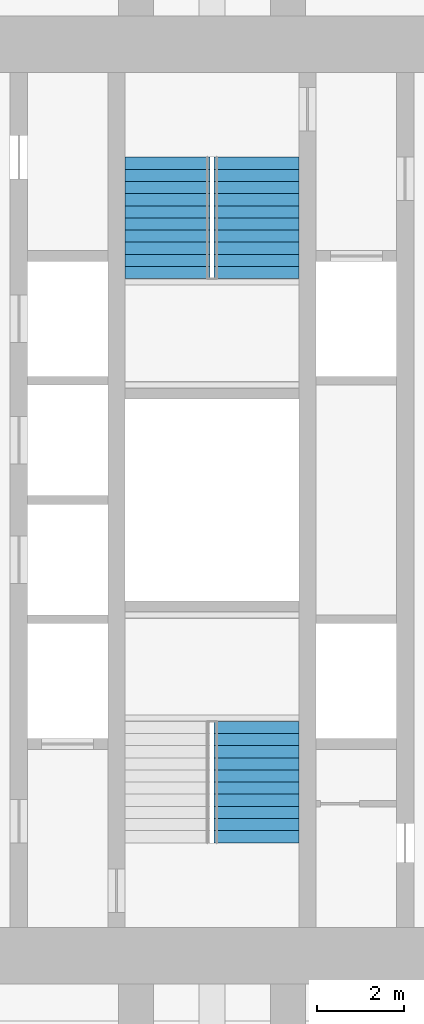
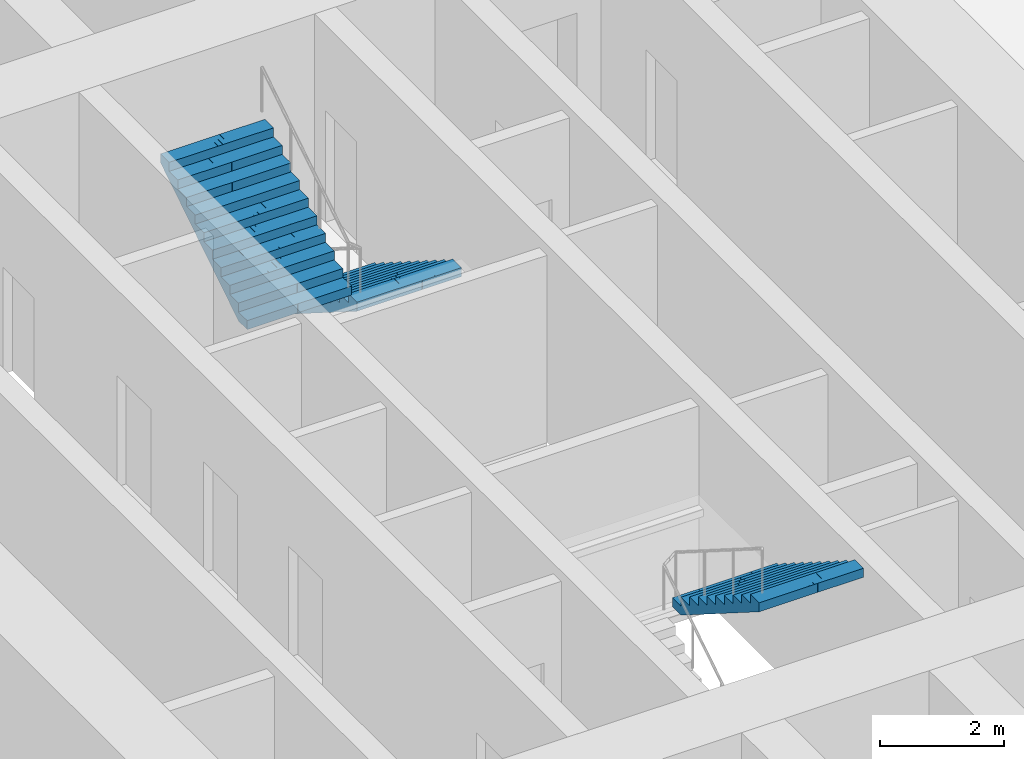
# One storey, part 18 of 19: 3 stair flights, 2 elements without a shape of their own.
"""IFC4 building model written with IfcOpenShell, lengths in metres."""

from ifc_helpers import new_model, si_unit, direction, frame, origin, place, context, subcontext, project, spatial, polyline, outline, extrude, material, type_object, element, aggregate, save


model = new_model("IFC4")

# Units and contexts
model_context = context("Model", 3, precision=1e-05, world=origin(), true_north=direction((0.0, 1.0)))
body_context = subcontext(model_context, "Body", "Model", "MODEL_VIEW")
ifc_project = project(units=[si_unit("LENGTHUNIT", "METRE"), si_unit("AREAUNIT", "SQUARE_METRE"), si_unit("VOLUMEUNIT", "CUBIC_METRE"), si_unit("PLANEANGLEUNIT", "RADIAN"), si_unit("MASSUNIT", "GRAM", prefix="KILO")], contexts=[model_context])

# Site, building, storey
site_placement = place(None, origin())
site = spatial("IfcSite", under=ifc_project, at=site_placement, CompositionType="ELEMENT")
building_placement = place(site_placement, origin())
building = spatial("IfcBuilding", under=site, at=building_placement, Name="Mizan Broadcast Tower", CompositionType="ELEMENT")
storey_placement = place(building_placement, frame((0.0, 0.0, 182.699951171875)))
storey = spatial("IfcBuildingStorey", under=building, at=storey_placement, Name="L42", CompositionType="ELEMENT", Elevation=182.699951171875)

# Stair, stair flight
ifc_material_1 = material(Name="Concrete C40/50", Category="concrete")
stair_type = type_object("IfcStairType", Name="EXIT STAIR", PredefinedType="HALF_TURN_STAIR", material=ifc_material_1)
stair_1_placement = place(storey_placement, origin())
stair_1 = element("IfcStair", 1, at=stair_1_placement, inside=storey, type_object=stair_type, Name="Stair A L42", PredefinedType="HALF_TURN_STAIR")
ifc_material_2 = material(Name="Concrete C40/50", Category="concrete")
stair_flight_type = type_object("IfcStairFlightType", Name="EXIT STAIR FLIGHT", PredefinedType="STRAIGHT", material=ifc_material_2)
stair_flight_1_placement = place(storey_placement, frame((1.02490234375, -5.10009765625, 1.949951171875), z_axis=(0.0, 0.0, 1.0), x_axis=(0.0, -1.0, 0.0)))
stair_flight_1 = element("IfcStairFlight", 2, at=stair_flight_1_placement, type_object=stair_flight_type, Name="A flight 2", NumberOfRisers=11, NumberOfTreads=10, PredefinedType="STRAIGHT", RiserHeight=0.177272727, TreadLength=0.28, context=body_context, shape_type="SweptSolid", body=[
    extrude(outline(polyline([(0.0, 0.0), (0.0, 0.17724609375), (0.280029296875, 0.17724609375), (0.280029296875, 0.3544921875), (0.56005859375, 0.3544921875), (0.56005859375, 0.53173828125), (0.840087890625, 0.53173828125), (0.840087890625, 0.708984375), (1.1201171875, 0.708984375), (1.1201171875, 0.886474609375), (1.39990234375, 0.886474609375), (1.39990234375, 1.063720703125), (1.679931640625, 1.063720703125), (1.679931640625, 1.240966796875), (1.9599609375, 1.240966796875), (1.9599609375, 1.418212890625), (2.239990234375, 1.418212890625), (2.239990234375, 1.595458984375), (2.52001953125, 1.595458984375), (2.52001953125, 1.772705078125), (2.800048828125, 1.772705078125), (2.800048828125, 1.949951171875), (2.800048828125, 1.59521484375), (0.2802734375, 0.0), (0.0, 0.0)])), frame((0.0, 0.97509765625, 0.0), z_axis=(0.0, -1.0, 0.0), x_axis=(1.0, 0.0, 0.0)), (0.0, 0.0, 1.0), 0.4873046875),
    extrude(outline(polyline([(0.0, 0.0), (0.0, 0.17724609375), (0.280029296875, 0.17724609375), (0.280029296875, 0.3544921875), (0.56005859375, 0.3544921875), (0.56005859375, 0.53173828125), (0.840087890625, 0.53173828125), (0.840087890625, 0.708984375), (1.1201171875, 0.708984375), (1.1201171875, 0.886474609375), (1.39990234375, 0.886474609375), (1.39990234375, 1.063720703125), (1.679931640625, 1.063720703125), (1.679931640625, 1.240966796875), (1.9599609375, 1.240966796875), (1.9599609375, 1.418212890625), (2.239990234375, 1.418212890625), (2.239990234375, 1.595458984375), (2.52001953125, 1.595458984375), (2.52001953125, 1.772705078125), (2.800048828125, 1.772705078125), (2.800048828125, 1.949951171875), (2.800048828125, 1.59521484375), (0.2802734375, 0.0), (0.0, 0.0)])), frame((0.0, 0.4873046875, 0.0), z_axis=(0.0, -1.0, 0.0), x_axis=(1.0, 0.0, 0.0)), (0.0, 0.0, 1.0), 0.2431640625),
    extrude(outline(polyline([(0.0, 0.0), (0.0, 0.17724609375), (0.280029296875, 0.17724609375), (0.280029296875, 0.3544921875), (0.56005859375, 0.3544921875), (0.56005859375, 0.53173828125), (0.840087890625, 0.53173828125), (0.840087890625, 0.708984375), (1.1201171875, 0.708984375), (1.1201171875, 0.886474609375), (1.39990234375, 0.886474609375), (1.39990234375, 1.063720703125), (1.679931640625, 1.063720703125), (1.679931640625, 1.240966796875), (1.9599609375, 1.240966796875), (1.9599609375, 1.418212890625), (2.239990234375, 1.418212890625), (2.239990234375, 1.595458984375), (2.52001953125, 1.595458984375), (2.52001953125, 1.772705078125), (2.800048828125, 1.772705078125), (2.800048828125, 1.949951171875), (2.800048828125, 1.59521484375), (0.2802734375, 0.0), (0.0, 0.0)])), frame((0.0, 0.24365234375, 0.0), z_axis=(0.0, -1.0, 0.0), x_axis=(1.0, 0.0, 0.0)), (0.0, 0.0, 1.0), 0.121337890625),
    extrude(outline(polyline([(0.0, 0.0), (0.0, 0.17724609375), (0.280029296875, 0.17724609375), (0.280029296875, 0.3544921875), (0.56005859375, 0.3544921875), (0.56005859375, 0.53173828125), (0.840087890625, 0.53173828125), (0.840087890625, 0.708984375), (1.1201171875, 0.708984375), (1.1201171875, 0.886474609375), (1.39990234375, 0.886474609375), (1.39990234375, 1.063720703125), (1.679931640625, 1.063720703125), (1.679931640625, 1.240966796875), (1.9599609375, 1.240966796875), (1.9599609375, 1.418212890625), (2.239990234375, 1.418212890625), (2.239990234375, 1.595458984375), (2.52001953125, 1.595458984375), (2.52001953125, 1.772705078125), (2.800048828125, 1.772705078125), (2.800048828125, 1.949951171875), (2.800048828125, 1.59521484375), (0.2802734375, 0.0), (0.0, 0.0)])), frame((0.0, 0.121826171875, 0.0), z_axis=(0.0, -1.0, 0.0), x_axis=(1.0, 0.0, 0.0)), (0.0, 0.0, 1.0), 0.060546875),
    extrude(outline(polyline([(0.0, 0.0), (0.0, 0.17724609375), (0.280029296875, 0.17724609375), (0.280029296875, 0.3544921875), (0.56005859375, 0.3544921875), (0.56005859375, 0.53173828125), (0.840087890625, 0.53173828125), (0.840087890625, 0.708984375), (1.1201171875, 0.708984375), (1.1201171875, 0.886474609375), (1.39990234375, 0.886474609375), (1.39990234375, 1.063720703125), (1.679931640625, 1.063720703125), (1.679931640625, 1.240966796875), (1.9599609375, 1.240966796875), (1.9599609375, 1.418212890625), (2.239990234375, 1.418212890625), (2.239990234375, 1.595458984375), (2.52001953125, 1.595458984375), (2.52001953125, 1.772705078125), (2.800048828125, 1.772705078125), (2.800048828125, 1.949951171875), (2.800048828125, 1.59521484375), (0.2802734375, 0.0), (0.0, 0.0)])), frame((0.0, 0.060791015625, 0.0), z_axis=(0.0, -1.0, 0.0), x_axis=(1.0, 0.0, 0.0)), (0.0, 0.0, 1.0), 0.030029296875),
    extrude(outline(polyline([(0.0, 0.0), (0.0, 0.17724609375), (0.280029296875, 0.17724609375), (0.280029296875, 0.3544921875), (0.56005859375, 0.3544921875), (0.56005859375, 0.53173828125), (0.840087890625, 0.53173828125), (0.840087890625, 0.708984375), (1.1201171875, 0.708984375), (1.1201171875, 0.886474609375), (1.39990234375, 0.886474609375), (1.39990234375, 1.063720703125), (1.679931640625, 1.063720703125), (1.679931640625, 1.240966796875), (1.9599609375, 1.240966796875), (1.9599609375, 1.418212890625), (2.239990234375, 1.418212890625), (2.239990234375, 1.595458984375), (2.52001953125, 1.595458984375), (2.52001953125, 1.772705078125), (2.800048828125, 1.772705078125), (2.800048828125, 1.949951171875), (2.800048828125, 1.59521484375), (0.2802734375, 0.0), (0.0, 0.0)])), frame((0.0, 0.0302734375, 0.0), z_axis=(0.0, -1.0, 0.0), x_axis=(1.0, 0.0, 0.0)), (0.0, 0.0, 1.0), 0.060302734375),
    extrude(outline(polyline([(0.0, 0.0), (0.0, 0.17724609375), (0.280029296875, 0.17724609375), (0.280029296875, 0.3544921875), (0.56005859375, 0.3544921875), (0.56005859375, 0.53173828125), (0.840087890625, 0.53173828125), (0.840087890625, 0.708984375), (1.1201171875, 0.708984375), (1.1201171875, 0.886474609375), (1.39990234375, 0.886474609375), (1.39990234375, 1.063720703125), (1.679931640625, 1.063720703125), (1.679931640625, 1.240966796875), (1.9599609375, 1.240966796875), (1.9599609375, 1.418212890625), (2.239990234375, 1.418212890625), (2.239990234375, 1.595458984375), (2.52001953125, 1.595458984375), (2.52001953125, 1.772705078125), (2.800048828125, 1.772705078125), (2.800048828125, 1.949951171875), (2.800048828125, 1.59521484375), (0.2802734375, 0.0), (0.0, 0.0)])), frame((0.0, -0.030517578125, 0.0), z_axis=(0.0, -1.0, 0.0), x_axis=(1.0, 0.0, 0.0)), (0.0, 0.0, 1.0), 0.030029296875),
    extrude(outline(polyline([(0.0, 0.0), (0.0, 0.17724609375), (0.280029296875, 0.17724609375), (0.280029296875, 0.3544921875), (0.56005859375, 0.3544921875), (0.56005859375, 0.53173828125), (0.840087890625, 0.53173828125), (0.840087890625, 0.708984375), (1.1201171875, 0.708984375), (1.1201171875, 0.886474609375), (1.39990234375, 0.886474609375), (1.39990234375, 1.063720703125), (1.679931640625, 1.063720703125), (1.679931640625, 1.240966796875), (1.9599609375, 1.240966796875), (1.9599609375, 1.418212890625), (2.239990234375, 1.418212890625), (2.239990234375, 1.595458984375), (2.52001953125, 1.595458984375), (2.52001953125, 1.772705078125), (2.800048828125, 1.772705078125), (2.800048828125, 1.949951171875), (2.800048828125, 1.59521484375), (0.2802734375, 0.0), (0.0, 0.0)])), frame((0.0, -0.06103515625, 0.0), z_axis=(0.0, -1.0, 0.0), x_axis=(1.0, 0.0, 0.0)), (0.0, 0.0, 1.0), 0.060546875),
    extrude(outline(polyline([(0.0, 0.0), (0.0, 0.17724609375), (0.280029296875, 0.17724609375), (0.280029296875, 0.3544921875), (0.56005859375, 0.3544921875), (0.56005859375, 0.53173828125), (0.840087890625, 0.53173828125), (0.840087890625, 0.708984375), (1.1201171875, 0.708984375), (1.1201171875, 0.886474609375), (1.39990234375, 0.886474609375), (1.39990234375, 1.063720703125), (1.679931640625, 1.063720703125), (1.679931640625, 1.240966796875), (1.9599609375, 1.240966796875), (1.9599609375, 1.418212890625), (2.239990234375, 1.418212890625), (2.239990234375, 1.595458984375), (2.52001953125, 1.595458984375), (2.52001953125, 1.772705078125), (2.800048828125, 1.772705078125), (2.800048828125, 1.949951171875), (2.800048828125, 1.59521484375), (0.2802734375, 0.0), (0.0, 0.0)])), frame((0.0, -0.1220703125, 0.0), z_axis=(0.0, -1.0, 0.0), x_axis=(1.0, 0.0, 0.0)), (0.0, 0.0, 1.0), 0.121337890625),
    extrude(outline(polyline([(0.0, 0.0), (0.0, 0.17724609375), (0.280029296875, 0.17724609375), (0.280029296875, 0.3544921875), (0.56005859375, 0.3544921875), (0.56005859375, 0.53173828125), (0.840087890625, 0.53173828125), (0.840087890625, 0.708984375), (1.1201171875, 0.708984375), (1.1201171875, 0.886474609375), (1.39990234375, 0.886474609375), (1.39990234375, 1.063720703125), (1.679931640625, 1.063720703125), (1.679931640625, 1.240966796875), (1.9599609375, 1.240966796875), (1.9599609375, 1.418212890625), (2.239990234375, 1.418212890625), (2.239990234375, 1.595458984375), (2.52001953125, 1.595458984375), (2.52001953125, 1.772705078125), (2.800048828125, 1.772705078125), (2.800048828125, 1.949951171875), (2.800048828125, 1.59521484375), (0.2802734375, 0.0), (0.0, 0.0)])), frame((0.0, -0.243896484375, 0.0), z_axis=(0.0, -1.0, 0.0), x_axis=(1.0, 0.0, 0.0)), (0.0, 0.0, 1.0), 0.2431640625),
    extrude(outline(polyline([(0.0, 0.0), (0.0, 0.17724609375), (0.280029296875, 0.17724609375), (0.280029296875, 0.3544921875), (0.56005859375, 0.3544921875), (0.56005859375, 0.53173828125), (0.840087890625, 0.53173828125), (0.840087890625, 0.708984375), (1.1201171875, 0.708984375), (1.1201171875, 0.886474609375), (1.39990234375, 0.886474609375), (1.39990234375, 1.063720703125), (1.679931640625, 1.063720703125), (1.679931640625, 1.240966796875), (1.9599609375, 1.240966796875), (1.9599609375, 1.418212890625), (2.239990234375, 1.418212890625), (2.239990234375, 1.595458984375), (2.52001953125, 1.595458984375), (2.52001953125, 1.772705078125), (2.800048828125, 1.772705078125), (2.800048828125, 1.949951171875), (2.800048828125, 1.59521484375), (0.2802734375, 0.0), (0.0, 0.0)])), frame((0.0, -0.487548828125, 0.0), z_axis=(0.0, -1.0, 0.0), x_axis=(1.0, 0.0, 0.0)), (0.0, 0.0, 1.0), 0.4873046875),
])
aggregate(stair_1, [stair_flight_1])

# Stair, stair flights
stair_2_placement = place(storey_placement, origin())
stair_2 = element("IfcStair", 3, at=stair_2_placement, inside=storey, type_object=stair_type, Name="Stair B L42", PredefinedType="HALF_TURN_STAIR")
stair_flight_2_placement = place(storey_placement, frame((1.02490234375, 7.89990234375, 0.0), z_axis=(0.0, 0.0, 1.0), x_axis=(0.0, -1.0, 0.0)))
stair_flight_2 = element("IfcStairFlight", 4, at=stair_flight_2_placement, type_object=stair_flight_type, Name="B flight 1", NumberOfRisers=11, NumberOfTreads=10, PredefinedType="STRAIGHT", RiserHeight=0.177272727, TreadLength=0.28, context=body_context, shape_type="SweptSolid", body=[
    extrude(outline(polyline([(0.0, 0.0), (0.0, 0.17724609375), (0.280029296875, 0.17724609375), (0.280029296875, 0.3544921875), (0.56005859375, 0.3544921875), (0.56005859375, 0.53173828125), (0.840087890625, 0.53173828125), (0.840087890625, 0.708984375), (1.1201171875, 0.708984375), (1.1201171875, 0.886474609375), (1.39990234375, 0.886474609375), (1.39990234375, 1.063720703125), (1.679931640625, 1.063720703125), (1.679931640625, 1.240966796875), (1.9599609375, 1.240966796875), (1.9599609375, 1.418212890625), (2.239990234375, 1.418212890625), (2.239990234375, 1.595458984375), (2.52001953125, 1.595458984375), (2.52001953125, 1.772705078125), (2.800048828125, 1.772705078125), (2.800048828125, 1.949951171875), (2.800048828125, 1.59521484375), (0.2802734375, 0.0), (0.0, 0.0)])), frame((0.0, 0.97509765625, 0.0), z_axis=(0.0, -1.0, 0.0), x_axis=(1.0, 0.0, 0.0)), (0.0, 0.0, 1.0), 0.4873046875),
    extrude(outline(polyline([(0.0, 0.0), (0.0, 0.17724609375), (0.280029296875, 0.17724609375), (0.280029296875, 0.3544921875), (0.56005859375, 0.3544921875), (0.56005859375, 0.53173828125), (0.840087890625, 0.53173828125), (0.840087890625, 0.708984375), (1.1201171875, 0.708984375), (1.1201171875, 0.886474609375), (1.39990234375, 0.886474609375), (1.39990234375, 1.063720703125), (1.679931640625, 1.063720703125), (1.679931640625, 1.240966796875), (1.9599609375, 1.240966796875), (1.9599609375, 1.418212890625), (2.239990234375, 1.418212890625), (2.239990234375, 1.595458984375), (2.52001953125, 1.595458984375), (2.52001953125, 1.772705078125), (2.800048828125, 1.772705078125), (2.800048828125, 1.949951171875), (2.800048828125, 1.59521484375), (0.2802734375, 0.0), (0.0, 0.0)])), frame((0.0, 0.4873046875, 0.0), z_axis=(0.0, -1.0, 0.0), x_axis=(1.0, 0.0, 0.0)), (0.0, 0.0, 1.0), 0.2431640625),
    extrude(outline(polyline([(0.0, 0.0), (0.0, 0.17724609375), (0.280029296875, 0.17724609375), (0.280029296875, 0.3544921875), (0.56005859375, 0.3544921875), (0.56005859375, 0.53173828125), (0.840087890625, 0.53173828125), (0.840087890625, 0.708984375), (1.1201171875, 0.708984375), (1.1201171875, 0.886474609375), (1.39990234375, 0.886474609375), (1.39990234375, 1.063720703125), (1.679931640625, 1.063720703125), (1.679931640625, 1.240966796875), (1.9599609375, 1.240966796875), (1.9599609375, 1.418212890625), (2.239990234375, 1.418212890625), (2.239990234375, 1.595458984375), (2.52001953125, 1.595458984375), (2.52001953125, 1.772705078125), (2.800048828125, 1.772705078125), (2.800048828125, 1.949951171875), (2.800048828125, 1.59521484375), (0.2802734375, 0.0), (0.0, 0.0)])), frame((0.0, 0.24365234375, 0.0), z_axis=(0.0, -1.0, 0.0), x_axis=(1.0, 0.0, 0.0)), (0.0, 0.0, 1.0), 0.121337890625),
    extrude(outline(polyline([(0.0, 0.0), (0.0, 0.17724609375), (0.280029296875, 0.17724609375), (0.280029296875, 0.3544921875), (0.56005859375, 0.3544921875), (0.56005859375, 0.53173828125), (0.840087890625, 0.53173828125), (0.840087890625, 0.708984375), (1.1201171875, 0.708984375), (1.1201171875, 0.886474609375), (1.39990234375, 0.886474609375), (1.39990234375, 1.063720703125), (1.679931640625, 1.063720703125), (1.679931640625, 1.240966796875), (1.9599609375, 1.240966796875), (1.9599609375, 1.418212890625), (2.239990234375, 1.418212890625), (2.239990234375, 1.595458984375), (2.52001953125, 1.595458984375), (2.52001953125, 1.772705078125), (2.800048828125, 1.772705078125), (2.800048828125, 1.949951171875), (2.800048828125, 1.59521484375), (0.2802734375, 0.0), (0.0, 0.0)])), frame((0.0, 0.121826171875, 0.0), z_axis=(0.0, -1.0, 0.0), x_axis=(1.0, 0.0, 0.0)), (0.0, 0.0, 1.0), 0.060546875),
    extrude(outline(polyline([(0.0, 0.0), (0.0, 0.17724609375), (0.280029296875, 0.17724609375), (0.280029296875, 0.3544921875), (0.56005859375, 0.3544921875), (0.56005859375, 0.53173828125), (0.840087890625, 0.53173828125), (0.840087890625, 0.708984375), (1.1201171875, 0.708984375), (1.1201171875, 0.886474609375), (1.39990234375, 0.886474609375), (1.39990234375, 1.063720703125), (1.679931640625, 1.063720703125), (1.679931640625, 1.240966796875), (1.9599609375, 1.240966796875), (1.9599609375, 1.418212890625), (2.239990234375, 1.418212890625), (2.239990234375, 1.595458984375), (2.52001953125, 1.595458984375), (2.52001953125, 1.772705078125), (2.800048828125, 1.772705078125), (2.800048828125, 1.949951171875), (2.800048828125, 1.59521484375), (0.2802734375, 0.0), (0.0, 0.0)])), frame((0.0, 0.060791015625, 0.0), z_axis=(0.0, -1.0, 0.0), x_axis=(1.0, 0.0, 0.0)), (0.0, 0.0, 1.0), 0.030029296875),
    extrude(outline(polyline([(0.0, 0.0), (0.0, 0.17724609375), (0.280029296875, 0.17724609375), (0.280029296875, 0.3544921875), (0.56005859375, 0.3544921875), (0.56005859375, 0.53173828125), (0.840087890625, 0.53173828125), (0.840087890625, 0.708984375), (1.1201171875, 0.708984375), (1.1201171875, 0.886474609375), (1.39990234375, 0.886474609375), (1.39990234375, 1.063720703125), (1.679931640625, 1.063720703125), (1.679931640625, 1.240966796875), (1.9599609375, 1.240966796875), (1.9599609375, 1.418212890625), (2.239990234375, 1.418212890625), (2.239990234375, 1.595458984375), (2.52001953125, 1.595458984375), (2.52001953125, 1.772705078125), (2.800048828125, 1.772705078125), (2.800048828125, 1.949951171875), (2.800048828125, 1.59521484375), (0.2802734375, 0.0), (0.0, 0.0)])), frame((0.0, 0.0302734375, 0.0), z_axis=(0.0, -1.0, 0.0), x_axis=(1.0, 0.0, 0.0)), (0.0, 0.0, 1.0), 0.060302734375),
    extrude(outline(polyline([(0.0, 0.0), (0.0, 0.17724609375), (0.280029296875, 0.17724609375), (0.280029296875, 0.3544921875), (0.56005859375, 0.3544921875), (0.56005859375, 0.53173828125), (0.840087890625, 0.53173828125), (0.840087890625, 0.708984375), (1.1201171875, 0.708984375), (1.1201171875, 0.886474609375), (1.39990234375, 0.886474609375), (1.39990234375, 1.063720703125), (1.679931640625, 1.063720703125), (1.679931640625, 1.240966796875), (1.9599609375, 1.240966796875), (1.9599609375, 1.418212890625), (2.239990234375, 1.418212890625), (2.239990234375, 1.595458984375), (2.52001953125, 1.595458984375), (2.52001953125, 1.772705078125), (2.800048828125, 1.772705078125), (2.800048828125, 1.949951171875), (2.800048828125, 1.59521484375), (0.2802734375, 0.0), (0.0, 0.0)])), frame((0.0, -0.030517578125, 0.0), z_axis=(0.0, -1.0, 0.0), x_axis=(1.0, 0.0, 0.0)), (0.0, 0.0, 1.0), 0.030029296875),
    extrude(outline(polyline([(0.0, 0.0), (0.0, 0.17724609375), (0.280029296875, 0.17724609375), (0.280029296875, 0.3544921875), (0.56005859375, 0.3544921875), (0.56005859375, 0.53173828125), (0.840087890625, 0.53173828125), (0.840087890625, 0.708984375), (1.1201171875, 0.708984375), (1.1201171875, 0.886474609375), (1.39990234375, 0.886474609375), (1.39990234375, 1.063720703125), (1.679931640625, 1.063720703125), (1.679931640625, 1.240966796875), (1.9599609375, 1.240966796875), (1.9599609375, 1.418212890625), (2.239990234375, 1.418212890625), (2.239990234375, 1.595458984375), (2.52001953125, 1.595458984375), (2.52001953125, 1.772705078125), (2.800048828125, 1.772705078125), (2.800048828125, 1.949951171875), (2.800048828125, 1.59521484375), (0.2802734375, 0.0), (0.0, 0.0)])), frame((0.0, -0.06103515625, 0.0), z_axis=(0.0, -1.0, 0.0), x_axis=(1.0, 0.0, 0.0)), (0.0, 0.0, 1.0), 0.060546875),
    extrude(outline(polyline([(0.0, 0.0), (0.0, 0.17724609375), (0.280029296875, 0.17724609375), (0.280029296875, 0.3544921875), (0.56005859375, 0.3544921875), (0.56005859375, 0.53173828125), (0.840087890625, 0.53173828125), (0.840087890625, 0.708984375), (1.1201171875, 0.708984375), (1.1201171875, 0.886474609375), (1.39990234375, 0.886474609375), (1.39990234375, 1.063720703125), (1.679931640625, 1.063720703125), (1.679931640625, 1.240966796875), (1.9599609375, 1.240966796875), (1.9599609375, 1.418212890625), (2.239990234375, 1.418212890625), (2.239990234375, 1.595458984375), (2.52001953125, 1.595458984375), (2.52001953125, 1.772705078125), (2.800048828125, 1.772705078125), (2.800048828125, 1.949951171875), (2.800048828125, 1.59521484375), (0.2802734375, 0.0), (0.0, 0.0)])), frame((0.0, -0.1220703125, 0.0), z_axis=(0.0, -1.0, 0.0), x_axis=(1.0, 0.0, 0.0)), (0.0, 0.0, 1.0), 0.121337890625),
    extrude(outline(polyline([(0.0, 0.0), (0.0, 0.17724609375), (0.280029296875, 0.17724609375), (0.280029296875, 0.3544921875), (0.56005859375, 0.3544921875), (0.56005859375, 0.53173828125), (0.840087890625, 0.53173828125), (0.840087890625, 0.708984375), (1.1201171875, 0.708984375), (1.1201171875, 0.886474609375), (1.39990234375, 0.886474609375), (1.39990234375, 1.063720703125), (1.679931640625, 1.063720703125), (1.679931640625, 1.240966796875), (1.9599609375, 1.240966796875), (1.9599609375, 1.418212890625), (2.239990234375, 1.418212890625), (2.239990234375, 1.595458984375), (2.52001953125, 1.595458984375), (2.52001953125, 1.772705078125), (2.800048828125, 1.772705078125), (2.800048828125, 1.949951171875), (2.800048828125, 1.59521484375), (0.2802734375, 0.0), (0.0, 0.0)])), frame((0.0, -0.243896484375, 0.0), z_axis=(0.0, -1.0, 0.0), x_axis=(1.0, 0.0, 0.0)), (0.0, 0.0, 1.0), 0.2431640625),
    extrude(outline(polyline([(0.0, 0.0), (0.0, 0.17724609375), (0.280029296875, 0.17724609375), (0.280029296875, 0.3544921875), (0.56005859375, 0.3544921875), (0.56005859375, 0.53173828125), (0.840087890625, 0.53173828125), (0.840087890625, 0.708984375), (1.1201171875, 0.708984375), (1.1201171875, 0.886474609375), (1.39990234375, 0.886474609375), (1.39990234375, 1.063720703125), (1.679931640625, 1.063720703125), (1.679931640625, 1.240966796875), (1.9599609375, 1.240966796875), (1.9599609375, 1.418212890625), (2.239990234375, 1.418212890625), (2.239990234375, 1.595458984375), (2.52001953125, 1.595458984375), (2.52001953125, 1.772705078125), (2.800048828125, 1.772705078125), (2.800048828125, 1.949951171875), (2.800048828125, 1.59521484375), (0.2802734375, 0.0), (0.0, 0.0)])), frame((0.0, -0.487548828125, 0.0), z_axis=(0.0, -1.0, 0.0), x_axis=(1.0, 0.0, 0.0)), (0.0, 0.0, 1.0), 0.4873046875),
])
stair_flight_3_placement = place(storey_placement, frame((-1.02490234375, 5.10009765625, 1.949951171875), z_axis=(0.0, 0.0, 1.0), x_axis=(0.0, 1.0, 0.0)))
stair_flight_3 = element("IfcStairFlight", 5, at=stair_flight_3_placement, type_object=stair_flight_type, Name="B flight 2", NumberOfRisers=11, NumberOfTreads=10, PredefinedType="STRAIGHT", RiserHeight=0.177272727, TreadLength=0.28, context=body_context, shape_type="SweptSolid", body=[
    extrude(outline(polyline([(0.0, 0.0), (0.0, 0.17724609375), (0.280029296875, 0.17724609375), (0.280029296875, 0.3544921875), (0.56005859375, 0.3544921875), (0.56005859375, 0.53173828125), (0.840087890625, 0.53173828125), (0.840087890625, 0.708984375), (1.1201171875, 0.708984375), (1.1201171875, 0.886474609375), (1.39990234375, 0.886474609375), (1.39990234375, 1.063720703125), (1.679931640625, 1.063720703125), (1.679931640625, 1.240966796875), (1.9599609375, 1.240966796875), (1.9599609375, 1.418212890625), (2.239990234375, 1.418212890625), (2.239990234375, 1.595458984375), (2.52001953125, 1.595458984375), (2.52001953125, 1.772705078125), (2.800048828125, 1.772705078125), (2.800048828125, 1.949951171875), (2.800048828125, 1.59521484375), (0.2802734375, 0.0), (0.0, 0.0)])), frame((0.0, 0.97509765625, 0.0), z_axis=(0.0, -1.0, 0.0), x_axis=(1.0, 0.0, 0.0)), (0.0, 0.0, 1.0), 0.4873046875),
    extrude(outline(polyline([(0.0, 0.0), (0.0, 0.17724609375), (0.280029296875, 0.17724609375), (0.280029296875, 0.3544921875), (0.56005859375, 0.3544921875), (0.56005859375, 0.53173828125), (0.840087890625, 0.53173828125), (0.840087890625, 0.708984375), (1.1201171875, 0.708984375), (1.1201171875, 0.886474609375), (1.39990234375, 0.886474609375), (1.39990234375, 1.063720703125), (1.679931640625, 1.063720703125), (1.679931640625, 1.240966796875), (1.9599609375, 1.240966796875), (1.9599609375, 1.418212890625), (2.239990234375, 1.418212890625), (2.239990234375, 1.595458984375), (2.52001953125, 1.595458984375), (2.52001953125, 1.772705078125), (2.800048828125, 1.772705078125), (2.800048828125, 1.949951171875), (2.800048828125, 1.59521484375), (0.2802734375, 0.0), (0.0, 0.0)])), frame((0.0, 0.4873046875, 0.0), z_axis=(0.0, -1.0, 0.0), x_axis=(1.0, 0.0, 0.0)), (0.0, 0.0, 1.0), 0.2431640625),
    extrude(outline(polyline([(0.0, 0.0), (0.0, 0.17724609375), (0.280029296875, 0.17724609375), (0.280029296875, 0.3544921875), (0.56005859375, 0.3544921875), (0.56005859375, 0.53173828125), (0.840087890625, 0.53173828125), (0.840087890625, 0.708984375), (1.1201171875, 0.708984375), (1.1201171875, 0.886474609375), (1.39990234375, 0.886474609375), (1.39990234375, 1.063720703125), (1.679931640625, 1.063720703125), (1.679931640625, 1.240966796875), (1.9599609375, 1.240966796875), (1.9599609375, 1.418212890625), (2.239990234375, 1.418212890625), (2.239990234375, 1.595458984375), (2.52001953125, 1.595458984375), (2.52001953125, 1.772705078125), (2.800048828125, 1.772705078125), (2.800048828125, 1.949951171875), (2.800048828125, 1.59521484375), (0.2802734375, 0.0), (0.0, 0.0)])), frame((0.0, 0.24365234375, 0.0), z_axis=(0.0, -1.0, 0.0), x_axis=(1.0, 0.0, 0.0)), (0.0, 0.0, 1.0), 0.121337890625),
    extrude(outline(polyline([(0.0, 0.0), (0.0, 0.17724609375), (0.280029296875, 0.17724609375), (0.280029296875, 0.3544921875), (0.56005859375, 0.3544921875), (0.56005859375, 0.53173828125), (0.840087890625, 0.53173828125), (0.840087890625, 0.708984375), (1.1201171875, 0.708984375), (1.1201171875, 0.886474609375), (1.39990234375, 0.886474609375), (1.39990234375, 1.063720703125), (1.679931640625, 1.063720703125), (1.679931640625, 1.240966796875), (1.9599609375, 1.240966796875), (1.9599609375, 1.418212890625), (2.239990234375, 1.418212890625), (2.239990234375, 1.595458984375), (2.52001953125, 1.595458984375), (2.52001953125, 1.772705078125), (2.800048828125, 1.772705078125), (2.800048828125, 1.949951171875), (2.800048828125, 1.59521484375), (0.2802734375, 0.0), (0.0, 0.0)])), frame((0.0, 0.121826171875, 0.0), z_axis=(0.0, -1.0, 0.0), x_axis=(1.0, 0.0, 0.0)), (0.0, 0.0, 1.0), 0.060546875),
    extrude(outline(polyline([(0.0, 0.0), (0.0, 0.17724609375), (0.280029296875, 0.17724609375), (0.280029296875, 0.3544921875), (0.56005859375, 0.3544921875), (0.56005859375, 0.53173828125), (0.840087890625, 0.53173828125), (0.840087890625, 0.708984375), (1.1201171875, 0.708984375), (1.1201171875, 0.886474609375), (1.39990234375, 0.886474609375), (1.39990234375, 1.063720703125), (1.679931640625, 1.063720703125), (1.679931640625, 1.240966796875), (1.9599609375, 1.240966796875), (1.9599609375, 1.418212890625), (2.239990234375, 1.418212890625), (2.239990234375, 1.595458984375), (2.52001953125, 1.595458984375), (2.52001953125, 1.772705078125), (2.800048828125, 1.772705078125), (2.800048828125, 1.949951171875), (2.800048828125, 1.59521484375), (0.2802734375, 0.0), (0.0, 0.0)])), frame((0.0, 0.060791015625, 0.0), z_axis=(0.0, -1.0, 0.0), x_axis=(1.0, 0.0, 0.0)), (0.0, 0.0, 1.0), 0.030029296875),
    extrude(outline(polyline([(0.0, 0.0), (0.0, 0.17724609375), (0.280029296875, 0.17724609375), (0.280029296875, 0.3544921875), (0.56005859375, 0.3544921875), (0.56005859375, 0.53173828125), (0.840087890625, 0.53173828125), (0.840087890625, 0.708984375), (1.1201171875, 0.708984375), (1.1201171875, 0.886474609375), (1.39990234375, 0.886474609375), (1.39990234375, 1.063720703125), (1.679931640625, 1.063720703125), (1.679931640625, 1.240966796875), (1.9599609375, 1.240966796875), (1.9599609375, 1.418212890625), (2.239990234375, 1.418212890625), (2.239990234375, 1.595458984375), (2.52001953125, 1.595458984375), (2.52001953125, 1.772705078125), (2.800048828125, 1.772705078125), (2.800048828125, 1.949951171875), (2.800048828125, 1.59521484375), (0.2802734375, 0.0), (0.0, 0.0)])), frame((0.0, 0.0302734375, 0.0), z_axis=(0.0, -1.0, 0.0), x_axis=(1.0, 0.0, 0.0)), (0.0, 0.0, 1.0), 0.060302734375),
    extrude(outline(polyline([(0.0, 0.0), (0.0, 0.17724609375), (0.280029296875, 0.17724609375), (0.280029296875, 0.3544921875), (0.56005859375, 0.3544921875), (0.56005859375, 0.53173828125), (0.840087890625, 0.53173828125), (0.840087890625, 0.708984375), (1.1201171875, 0.708984375), (1.1201171875, 0.886474609375), (1.39990234375, 0.886474609375), (1.39990234375, 1.063720703125), (1.679931640625, 1.063720703125), (1.679931640625, 1.240966796875), (1.9599609375, 1.240966796875), (1.9599609375, 1.418212890625), (2.239990234375, 1.418212890625), (2.239990234375, 1.595458984375), (2.52001953125, 1.595458984375), (2.52001953125, 1.772705078125), (2.800048828125, 1.772705078125), (2.800048828125, 1.949951171875), (2.800048828125, 1.59521484375), (0.2802734375, 0.0), (0.0, 0.0)])), frame((0.0, -0.030517578125, 0.0), z_axis=(0.0, -1.0, 0.0), x_axis=(1.0, 0.0, 0.0)), (0.0, 0.0, 1.0), 0.030029296875),
    extrude(outline(polyline([(0.0, 0.0), (0.0, 0.17724609375), (0.280029296875, 0.17724609375), (0.280029296875, 0.3544921875), (0.56005859375, 0.3544921875), (0.56005859375, 0.53173828125), (0.840087890625, 0.53173828125), (0.840087890625, 0.708984375), (1.1201171875, 0.708984375), (1.1201171875, 0.886474609375), (1.39990234375, 0.886474609375), (1.39990234375, 1.063720703125), (1.679931640625, 1.063720703125), (1.679931640625, 1.240966796875), (1.9599609375, 1.240966796875), (1.9599609375, 1.418212890625), (2.239990234375, 1.418212890625), (2.239990234375, 1.595458984375), (2.52001953125, 1.595458984375), (2.52001953125, 1.772705078125), (2.800048828125, 1.772705078125), (2.800048828125, 1.949951171875), (2.800048828125, 1.59521484375), (0.2802734375, 0.0), (0.0, 0.0)])), frame((0.0, -0.06103515625, 0.0), z_axis=(0.0, -1.0, 0.0), x_axis=(1.0, 0.0, 0.0)), (0.0, 0.0, 1.0), 0.060546875),
    extrude(outline(polyline([(0.0, 0.0), (0.0, 0.17724609375), (0.280029296875, 0.17724609375), (0.280029296875, 0.3544921875), (0.56005859375, 0.3544921875), (0.56005859375, 0.53173828125), (0.840087890625, 0.53173828125), (0.840087890625, 0.708984375), (1.1201171875, 0.708984375), (1.1201171875, 0.886474609375), (1.39990234375, 0.886474609375), (1.39990234375, 1.063720703125), (1.679931640625, 1.063720703125), (1.679931640625, 1.240966796875), (1.9599609375, 1.240966796875), (1.9599609375, 1.418212890625), (2.239990234375, 1.418212890625), (2.239990234375, 1.595458984375), (2.52001953125, 1.595458984375), (2.52001953125, 1.772705078125), (2.800048828125, 1.772705078125), (2.800048828125, 1.949951171875), (2.800048828125, 1.59521484375), (0.2802734375, 0.0), (0.0, 0.0)])), frame((0.0, -0.1220703125, 0.0), z_axis=(0.0, -1.0, 0.0), x_axis=(1.0, 0.0, 0.0)), (0.0, 0.0, 1.0), 0.121337890625),
    extrude(outline(polyline([(0.0, 0.0), (0.0, 0.17724609375), (0.280029296875, 0.17724609375), (0.280029296875, 0.3544921875), (0.56005859375, 0.3544921875), (0.56005859375, 0.53173828125), (0.840087890625, 0.53173828125), (0.840087890625, 0.708984375), (1.1201171875, 0.708984375), (1.1201171875, 0.886474609375), (1.39990234375, 0.886474609375), (1.39990234375, 1.063720703125), (1.679931640625, 1.063720703125), (1.679931640625, 1.240966796875), (1.9599609375, 1.240966796875), (1.9599609375, 1.418212890625), (2.239990234375, 1.418212890625), (2.239990234375, 1.595458984375), (2.52001953125, 1.595458984375), (2.52001953125, 1.772705078125), (2.800048828125, 1.772705078125), (2.800048828125, 1.949951171875), (2.800048828125, 1.59521484375), (0.2802734375, 0.0), (0.0, 0.0)])), frame((0.0, -0.243896484375, 0.0), z_axis=(0.0, -1.0, 0.0), x_axis=(1.0, 0.0, 0.0)), (0.0, 0.0, 1.0), 0.2431640625),
    extrude(outline(polyline([(0.0, 0.0), (0.0, 0.17724609375), (0.280029296875, 0.17724609375), (0.280029296875, 0.3544921875), (0.56005859375, 0.3544921875), (0.56005859375, 0.53173828125), (0.840087890625, 0.53173828125), (0.840087890625, 0.708984375), (1.1201171875, 0.708984375), (1.1201171875, 0.886474609375), (1.39990234375, 0.886474609375), (1.39990234375, 1.063720703125), (1.679931640625, 1.063720703125), (1.679931640625, 1.240966796875), (1.9599609375, 1.240966796875), (1.9599609375, 1.418212890625), (2.239990234375, 1.418212890625), (2.239990234375, 1.595458984375), (2.52001953125, 1.595458984375), (2.52001953125, 1.772705078125), (2.800048828125, 1.772705078125), (2.800048828125, 1.949951171875), (2.800048828125, 1.59521484375), (0.2802734375, 0.0), (0.0, 0.0)])), frame((0.0, -0.487548828125, 0.0), z_axis=(0.0, -1.0, 0.0), x_axis=(1.0, 0.0, 0.0)), (0.0, 0.0, 1.0), 0.4873046875),
])
aggregate(stair_2, [stair_flight_2, stair_flight_3])

save(model, "model.ifc")
